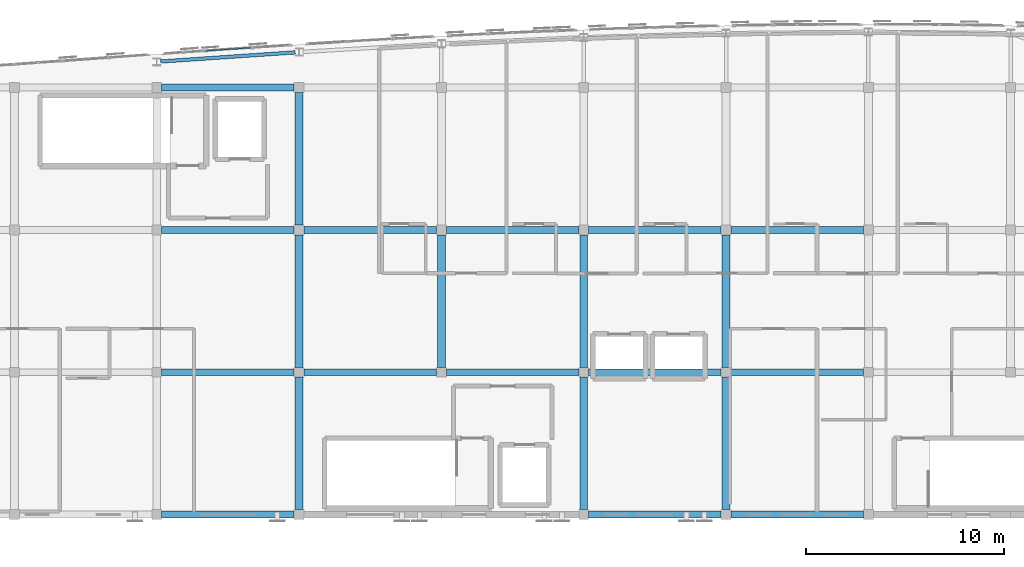
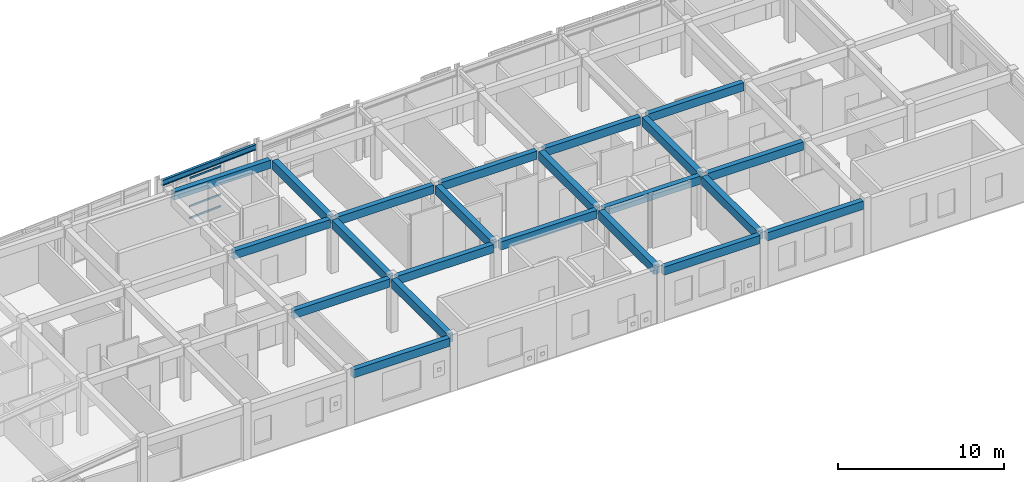
# One storey, part 6 of 24: 23 beams, 4 members, 1 element without a shape of its own.
"""IFC4 building model written with IfcOpenShell, lengths in metres."""

import ifcopenshell
import ifcopenshell.guid

model = None  # the IFC model being written
_history = None  # IfcOwnerHistory: only IFC2X3 demands one
_inside = {}  # id of a spatial element -> (the spatial element, [elements in it])
_under = {}  # id of a project, library or spatial element -> (it, [spatial elements below it])
_declared = {}  # id of a project -> (the project, [libraries it declares])
_typed = {}  # id of a type object -> (the type object, [elements of that type])
_made_of = {}  # id of a material, layer set ... -> (it, [elements and type objects made of it])


def new_model(schema):
    """Start an empty IFC model of exactly this schema.

    Asked for "IFC4X3", IfcOpenShell would pick the latest addendum, in which some entities
    have other attributes; the version numbers below select the first issue.
    IFC2X3 requires an IfcOwnerHistory on every rooted entity: one is made here for all.
    """
    global model, _history
    if schema == "IFC4X3":
        model = ifcopenshell.file(schema_version=(4, 3, 0, 0))
    else:
        model = ifcopenshell.file(schema=schema)
    _inside.clear()
    _under.clear()
    _declared.clear()
    _typed.clear()
    _made_of.clear()
    _history = None
    if model.schema == "IFC2X3":
        org = make("IfcOrganization", Name="unknown")
        user = make(
            "IfcPersonAndOrganization",
            ThePerson=make("IfcPerson", FamilyName="unknown"),
            TheOrganization=org,
        )
        app = make(
            "IfcApplication",
            ApplicationDeveloper=org,
            Version="unknown",
            ApplicationFullName="unknown",
            ApplicationIdentifier="unknown",
        )
        _history = make(
            "IfcOwnerHistory",
            OwningUser=user,
            OwningApplication=app,
            ChangeAction="ADDED",
            CreationDate=0,
        )
    return model


def make(cls, **values):
    """One entity of the class cls with the attributes given. An attribute that is None is left unset."""
    return model.create_entity(
        cls, **{name: value for name, value in values.items() if value is not None}
    )


def rooted(cls, **values):
    """An entity with a GlobalId (a new one), such as an element, a storey or a relation."""
    return make(cls, GlobalId=ifcopenshell.guid.new(), OwnerHistory=_history, **values)


def si_unit(unit_type, name, prefix=None):
    """IfcSIUnit, for example si_unit("LENGTHUNIT", "METRE", prefix="MILLI")."""
    return make("IfcSIUnit", UnitType=unit_type, Prefix=prefix, Name=name)


def assignment(units):
    """IfcUnitAssignment: the units of a project."""
    return None if units is None else make("IfcUnitAssignment", Units=units)


def point(xyz):
    """IfcCartesianPoint."""
    return None if xyz is None else make("IfcCartesianPoint", Coordinates=xyz)


def direction(xyz):
    """IfcDirection."""
    return None if xyz is None else make("IfcDirection", DirectionRatios=xyz)


def frame(location, z_axis=None, x_axis=None):
    """IfcAxis2Placement3D, a coordinate frame: its origin and axes. An axis left out is left unset."""
    return make(
        "IfcAxis2Placement3D",
        Location=point(location),
        Axis=direction(z_axis),
        RefDirection=direction(x_axis),
    )


def frame_2d(location, x_axis=None):
    """IfcAxis2Placement2D, a coordinate frame in the plane: its origin and x axis."""
    return make(
        "IfcAxis2Placement2D", Location=point(location), RefDirection=direction(x_axis)
    )


def origin():
    """The frame at (0, 0, 0) with its axes left unset."""
    return frame((0.0, 0.0, 0.0))


def origin_2d():
    """The frame at (0, 0) in the plane with its x axis left unset."""
    return frame_2d((0.0, 0.0))


def place(relative_to, where):
    """IfcLocalPlacement: puts the frame where relative to a parent placement (None: the world)."""
    return make(
        "IfcLocalPlacement", PlacementRelTo=relative_to, RelativePlacement=where
    )


def context(
    kind, dimensions, precision=None, world=None, true_north=None, identifier=None
):
    """IfcGeometricRepresentationContext, for example the 3D "Model" context."""
    return make(
        "IfcGeometricRepresentationContext",
        ContextIdentifier=identifier,
        ContextType=kind,
        CoordinateSpaceDimension=dimensions,
        Precision=precision,
        WorldCoordinateSystem=world,
        TrueNorth=true_north,
    )


def subcontext(parent, identifier, kind, view, scale=None):
    """IfcGeometricRepresentationSubContext, for example "Body" below "Model"."""
    return make(
        "IfcGeometricRepresentationSubContext",
        ContextIdentifier=identifier,
        ContextType=kind,
        ParentContext=parent,
        TargetScale=scale,
        TargetView=view,
    )


def project(units=None, contexts=None):
    """IfcProject with its units and contexts."""
    return rooted(
        "IfcProject",
        Name="project",
        RepresentationContexts=contexts,
        UnitsInContext=assignment(units),
    )


def spatial(cls, under=None, at=None, **own):
    """A site, building, storey or space (cls), placed at a placement, below another one or the project."""
    s = rooted(cls, ObjectPlacement=at, **own)
    if under is not None:
        _under.setdefault(under.id(), (under, []))[1].append(s)
    return s


def profile(cls, at=None, kind="AREA", **sizes):
    """A parametric profile (cls). Its sizes go by their IFC names, for example OverallWidth=200.0."""
    return make(cls, ProfileType=kind, Position=at, **sizes)


def rectangle(**sizes):
    """IfcRectangleProfileDef."""
    return profile("IfcRectangleProfileDef", **sizes)


def hollow_rectangle(**sizes):
    """IfcRectangleHollowProfileDef."""
    return profile("IfcRectangleHollowProfileDef", **sizes)


def i_section(**sizes):
    """IfcIShapeProfileDef."""
    return profile("IfcIShapeProfileDef", **sizes)


def extrude(swept, where, along, depth):
    """IfcExtrudedAreaSolid: the profile swept, set in the frame where, extruded along a direction by depth."""
    return make(
        "IfcExtrudedAreaSolid",
        SweptArea=swept,
        Position=where,
        ExtrudedDirection=direction(along),
        Depth=depth,
    )


def shape(context_of_items, identifier, shape_type, items):
    """IfcShapeRepresentation: the items that make up one representation, for example the "Body"."""
    return make(
        "IfcShapeRepresentation",
        ContextOfItems=context_of_items,
        RepresentationIdentifier=identifier,
        RepresentationType=shape_type,
        Items=items,
    )


def material(Name=None, Category=None):
    """IfcMaterial."""
    return make("IfcMaterial", Name=Name, Category=Category)


def layer(
    of_material, thickness, ventilated=None, Name=None, Category=None, Priority=None
):
    """IfcMaterialLayer: one layer of a wall or slab, of a material (None: an air gap)."""
    return make(
        "IfcMaterialLayer",
        Material=of_material,
        LayerThickness=thickness,
        IsVentilated=ventilated,
        Name=Name,
        Category=Category,
        Priority=Priority,
    )


def layer_set(layers, Name=None):
    """IfcMaterialLayerSet."""
    return make("IfcMaterialLayerSet", MaterialLayers=layers, LayerSetName=Name)


def material_profile(
    of_material, cross_section, Name=None, Category=None, Priority=None
):
    """IfcMaterialProfile: a cross section and its material."""
    return make(
        "IfcMaterialProfile",
        Name=Name,
        Material=of_material,
        Profile=cross_section,
        Priority=Priority,
        Category=Category,
    )


def profile_set(profiles, Name=None, composite=None):
    """IfcMaterialProfileSet."""
    return make(
        "IfcMaterialProfileSet",
        Name=Name,
        MaterialProfiles=profiles,
        CompositeProfile=composite,
    )


def made_of(thing, what):
    """Note that an element or type object is made of a material, layer set ...; save() writes the relation."""
    if what is not None:
        _made_of.setdefault(what.id(), (what, []))[1].append(thing)
    return thing


def type_object(cls, material=None, **own):
    """A type object (cls), such as IfcWallType, which elements share."""
    return made_of(rooted(cls, **own), material)


def element(
    cls,
    number,
    at=None,
    inside=None,
    cuts=None,
    type_object=None,
    material=None,
    context=None,
    identifier="Body",
    shape_type=None,
    held_by="IfcProductDefinitionShape",
    body=None,
    shapes=None,
    **own,
):
    """One element of the class cls, such as IfcWall. Its Tag is "e" and its number.

    at: its placement. inside: the storey or other place that contains it. cuts: it is an
    opening in that element (IfcRelVoidsElement). A single representation is given by context,
    identifier, shape_type and body (its items); several are given by shapes. held_by: the class
    of the entity that holds the representations. save() writes the other relations.
    """
    e = rooted(cls, Tag="e%d" % number, ObjectPlacement=at, **own)
    if body is not None:
        shapes = [shape(context, identifier, shape_type, body)]
    if shapes is not None:
        e.Representation = make(held_by, Representations=shapes)
    if inside is not None:
        _inside.setdefault(inside.id(), (inside, []))[1].append(e)
    if cuts is not None:
        rooted(
            "IfcRelVoidsElement", RelatingBuildingElement=cuts, RelatedOpeningElement=e
        )
    if type_object is not None:
        _typed.setdefault(type_object.id(), (type_object, []))[1].append(e)
    return made_of(e, material)


def aggregate(whole, parts):
    """IfcRelAggregates: a whole, such as a stair, and the parts it consists of."""
    return rooted("IfcRelAggregates", RelatingObject=whole, RelatedObjects=parts)


def save(model, path):
    """Write the relations noted so far, then the file.

    IfcRelAggregates (storeys below a building ...), IfcRelContainedInSpatialStructure (elements
    in a storey), IfcRelDefinesByType, IfcRelAssociatesMaterial and IfcRelDeclares: one each for
    every whole, place, type object, material and project.
    """
    for whole, parts in _under.values():
        aggregate(whole, parts)
    for where, things in _inside.values():
        rooted(
            "IfcRelContainedInSpatialStructure",
            RelatedElements=things,
            RelatingStructure=where,
        )
    for kind, things in _typed.values():
        rooted("IfcRelDefinesByType", RelatedObjects=things, RelatingType=kind)
    for what, things in _made_of.values():
        rooted("IfcRelAssociatesMaterial", RelatedObjects=things, RelatingMaterial=what)
    for by, libraries in _declared.values():
        rooted("IfcRelDeclares", RelatingContext=by, RelatedDefinitions=libraries)
    model.write(path)


model = new_model("IFC4")

# Units and contexts
model_context = context("Model", 3, precision=1e-05, world=origin(), true_north=direction((0.0, 1.0)))
body_context = subcontext(model_context, "Body", "Model", "MODEL_VIEW")
ifc_project = project(units=[si_unit("LENGTHUNIT", "METRE"), si_unit("AREAUNIT", "SQUARE_METRE"), si_unit("VOLUMEUNIT", "CUBIC_METRE"), si_unit("PLANEANGLEUNIT", "RADIAN"), si_unit("MASSUNIT", "GRAM", prefix="KILO")], contexts=[model_context])

# Site, building, storey
site_placement = place(None, origin())
site = spatial("IfcSite", under=ifc_project, at=site_placement, CompositionType="ELEMENT")
building_placement = place(site_placement, origin())
building = spatial("IfcBuilding", under=site, at=building_placement, Name="Carrowvane Square Congress Hotel", CompositionType="ELEMENT")
storey_placement = place(building_placement, frame((0.0, 0.0, 44.39990234375)))
storey = spatial("IfcBuildingStorey", under=building, at=storey_placement, Name="L11", CompositionType="ELEMENT", Elevation=44.39990234375)

# Beams
ifc_material_1 = material(Name="Concrete C35/45", Category="concrete")
ifc_material_profile_1 = material_profile(ifc_material_1, rectangle(XDim=0.35009765625, YDim=0.60009765625, at=origin_2d()), Name="RC 350x600")
ifc_profile_set_1 = profile_set([ifc_material_profile_1], Name="Concrete C35/45")
beam_type_1 = type_object("IfcBeamType", Name="BM-RC-350x600", PredefinedType="BEAM", material=ifc_profile_set_1)
for number, where, z_axis, x_axis, name in (
    (1, (62.25, 91.800048828125, 3.650146484375), (1.0, 0.0, 0.0), (0.0, 1.0, 0.0), "RF girder N/8-9"),
    (2, (83.85009765625, 91.800048828125, 3.650146484375), (1.0, 0.0, 0.0), (0.0, 1.0, 0.0), "RF girder N/11-12"),
    (3, (91.050048828125, 91.800048828125, 3.650146484375), (1.0, 0.0, 0.0), (0.0, 1.0, 0.0), "RF girder N/12-13"),
    (4, (62.25, 99.0, 3.650146484375), (1.0, 0.0, 0.0), (0.0, 1.0, 0.0), "RF girder P/8-9"),
    (5, (69.449951171875, 99.0, 3.650146484375), (1.0, 0.0, 0.0), (0.0, 1.0, 0.0), "RF girder P/9-10"),
):
    element("IfcBeam", number, at=place(storey_placement, frame(where, z_axis=z_axis, x_axis=x_axis)), inside=storey, type_object=beam_type_1, Name=name, PredefinedType="BEAM", context=body_context, shape_type="SweptSolid", body=[
        extrude(rectangle(XDim=0.35009765625, YDim=0.60009765625, at=origin_2d()), origin(), (0.0, 0.0, 1.0), 6.699951171875),
    ])
beam_1_placement = place(storey_placement, frame((76.64990234375, 99.0, 3.650146484375), z_axis=(1.0, 0.0, 0.0), x_axis=(0.0, 1.0, 0.0)))
element("IfcBeam", 6, at=beam_1_placement, inside=storey, type_object=beam_type_1, Name="RF girder P/10-11", PredefinedType="BEAM", context=body_context, shape_type="SweptSolid", body=[
    extrude(rectangle(XDim=0.35009765625, YDim=0.60009765625, at=origin_2d()), origin(), (0.0, 0.0, 1.0), 6.7001953125),
])
for number, where, z_axis, x_axis, name in (
    (7, (83.85009765625, 99.0, 3.650146484375), (1.0, 0.0, 0.0), (0.0, 1.0, 0.0), "RF girder P/11-12"),
    (8, (91.050048828125, 99.0, 3.650146484375), (1.0, 0.0, 0.0), (0.0, 1.0, 0.0), "RF girder P/12-13"),
    (9, (62.25, 106.199951171875, 3.650146484375), (1.0, 0.0, 0.0), (0.0, 1.0, 0.0), "RF girder Q/8-9"),
    (10, (69.449951171875, 106.199951171875, 3.650146484375), (1.0, 0.0, 0.0), (0.0, 1.0, 0.0), "RF girder Q/9-10"),
):
    element("IfcBeam", number, at=place(storey_placement, frame(where, z_axis=z_axis, x_axis=x_axis)), inside=storey, type_object=beam_type_1, Name=name, PredefinedType="BEAM", context=body_context, shape_type="SweptSolid", body=[
        extrude(rectangle(XDim=0.35009765625, YDim=0.60009765625, at=origin_2d()), origin(), (0.0, 0.0, 1.0), 6.699951171875),
    ])
beam_2_placement = place(storey_placement, frame((76.64990234375, 106.199951171875, 3.650146484375), z_axis=(1.0, 0.0, 0.0), x_axis=(0.0, 1.0, 0.0)))
element("IfcBeam", 11, at=beam_2_placement, inside=storey, type_object=beam_type_1, Name="RF girder Q/10-11", PredefinedType="BEAM", context=body_context, shape_type="SweptSolid", body=[
    extrude(rectangle(XDim=0.35009765625, YDim=0.60009765625, at=origin_2d()), origin(), (0.0, 0.0, 1.0), 6.7001953125),
])
for number, where, z_axis, x_axis, name in (
    (12, (83.85009765625, 106.199951171875, 3.650146484375), (1.0, 0.0, 0.0), (0.0, 1.0, 0.0), "RF girder Q/11-12"),
    (13, (91.050048828125, 106.199951171875, 3.650146484375), (1.0, 0.0, 0.0), (0.0, 1.0, 0.0), "RF girder Q/12-13"),
    (14, (62.25, 113.39990234375, 3.650146484375), (1.0, 0.0, 0.0), (0.0, 1.0, 0.0), "RF girder R/8-9"),
):
    element("IfcBeam", number, at=place(storey_placement, frame(where, z_axis=z_axis, x_axis=x_axis)), inside=storey, type_object=beam_type_1, Name=name, PredefinedType="BEAM", context=body_context, shape_type="SweptSolid", body=[
        extrude(rectangle(XDim=0.35009765625, YDim=0.60009765625, at=origin_2d()), origin(), (0.0, 0.0, 1.0), 6.699951171875),
    ])
ifc_material_2 = material(Name="Concrete C35/45", Category="concrete")
ifc_material_profile_2 = material_profile(ifc_material_2, rectangle(XDim=0.39990234375, YDim=0.64990234375, at=origin_2d()), Name="RC 400x650")
ifc_profile_set_2 = profile_set([ifc_material_profile_2], Name="Concrete C35/45")
beam_type_2 = type_object("IfcBeamType", Name="BM-RC-400x650", PredefinedType="BEAM", material=ifc_profile_set_2)
for number, where, z_axis, x_axis, name in (
    (15, (69.199951171875, 92.050048828125, 3.625), (0.0, 1.0, 0.0), (-1.0, 0.0, 0.0), "RF girder 9/N-P"),
    (16, (69.199951171875, 99.25, 3.625), (0.0, 1.0, 0.0), (-1.0, 0.0, 0.0), "RF girder 9/P-Q"),
    (17, (69.199951171875, 106.449951171875, 3.625), (0.0, 1.0, 0.0), (-1.0, 0.0, 0.0), "RF girder 9/Q-R"),
    (18, (76.39990234375, 99.25, 3.625), (0.0, 1.0, 0.0), (-1.0, 0.0, 0.0), "RF girder 10/P-Q"),
    (19, (83.60009765625, 92.050048828125, 3.625), (0.0, 1.0, 0.0), (-1.0, 0.0, 0.0), "RF girder 11/N-P"),
    (20, (83.60009765625, 99.25, 3.625), (0.0, 1.0, 0.0), (-1.0, 0.0, 0.0), "RF girder 11/P-Q"),
    (21, (90.800048828125, 92.050048828125, 3.625), (0.0, 1.0, 0.0), (-1.0, 0.0, 0.0), "RF girder 12/N-P"),
    (22, (90.800048828125, 99.25, 3.625), (0.0, 1.0, 0.0), (-1.0, 0.0, 0.0), "RF girder 12/P-Q"),
):
    element("IfcBeam", number, at=place(storey_placement, frame(where, z_axis=z_axis, x_axis=x_axis)), inside=storey, type_object=beam_type_2, Name=name, PredefinedType="BEAM", context=body_context, shape_type="SweptSolid", body=[
        extrude(rectangle(XDim=0.39990234375, YDim=0.64990234375, at=origin_2d()), origin(), (0.0, 0.0, 1.0), 6.699951171875),
    ])
ifc_material_3 = material(Name="Steel S355", Category="steel")
ifc_material_profile_3 = material_profile(ifc_material_3, i_section(OverallWidth=0.1787109375, OverallDepth=0.409423828125, WebThickness=0.0087890625, FlangeThickness=0.014404296875, FilletRadius=0.01025390625, at=origin_2d()), Name="UKB 406x178x67")
ifc_profile_set_3 = profile_set([ifc_material_profile_3], Name="Steel S355")
beam_type_3 = type_object("IfcBeamType", Name="BM-ST-UKB406", PredefinedType="BEAM", material=ifc_profile_set_3)
beam_3_placement = place(storey_placement, frame((62.197021484375, 114.71923828125, 3.745361328125), z_axis=(0.99770720425, 0.067678169216, 0.0), x_axis=(-0.067678169216, 0.99770720425, 0.0)))
element("IfcBeam", 23, at=beam_3_placement, inside=storey, type_object=beam_type_3, Name="RF curved north spandrel", PredefinedType="BEAM", context=body_context, shape_type="SweptSolid", body=[
    extrude(i_section(OverallWidth=0.1787109375, OverallDepth=0.409423828125, WebThickness=0.0087890625, FlangeThickness=0.014404296875, FilletRadius=0.01025390625, at=origin_2d()), origin(), (0.0, 0.0, 1.0), 6.821533203125),
])

# Curtain wall, members
ifc_material_4 = material(Name="Anodised aluminium", Category="aluminium")
ifc_layer = layer(ifc_material_4, 0.162109375)
ifc_layer_set = layer_set([ifc_layer], Name="Anodised aluminium")
curtain_wall_type = type_object("IfcCurtainWallType", Name="CW-SYS-1", PredefinedType="NOTDEFINED", material=ifc_layer_set)
curtain_wall_placement = place(storey_placement, origin())
curtain_wall = element("IfcCurtainWall", 24, at=curtain_wall_placement, inside=storey, type_object=curtain_wall_type, Name="L11 unitised curtain wall 592", PredefinedType="NOTDEFINED")
ifc_material_5 = material(Name="Anodised aluminium", Category="aluminium")
ifc_material_profile_4 = material_profile(ifc_material_5, hollow_rectangle(XDim=0.06005859375, YDim=0.1298828125, WallThickness=0.00390625, at=origin_2d()), Name="CW-TR 60x130x4")
ifc_profile_set_4 = profile_set([ifc_material_profile_4], Name="Anodised aluminium")
member_type = type_object("IfcMemberType", Name="CW-TRN-1", PredefinedType="USERDEFINED", material=ifc_profile_set_4)
member_1_placement = place(storey_placement, frame((64.4599609375, 115.2578125, 0.030029296875), z_axis=(0.997696363245, 0.067837797479, 0.0), x_axis=(-0.067837797479, 0.997696363245, 0.0)))
member_1 = element("IfcMember", 25, at=member_1_placement, type_object=member_type, Name="CW-1 transom 1.1", ObjectType="TRANSOM", PredefinedType="USERDEFINED", context=body_context, shape_type="SweptSolid", body=[
    extrude(hollow_rectangle(XDim=0.06005859375, YDim=0.1298828125, WallThickness=0.00390625, at=origin_2d()), origin(), (0.0, 0.0, 1.0), 2.285400390625),
])
member_2_placement = place(storey_placement, frame((64.4599609375, 115.2578125, 0.900146484375), z_axis=(0.997696363245, 0.067837797479, 0.0), x_axis=(-0.067837797479, 0.997696363245, 0.0)))
member_2 = element("IfcMember", 26, at=member_2_placement, type_object=member_type, Name="CW-1 transom 1.2", ObjectType="TRANSOM", PredefinedType="USERDEFINED", context=body_context, shape_type="SweptSolid", body=[
    extrude(hollow_rectangle(XDim=0.06005859375, YDim=0.1298828125, WallThickness=0.00390625, at=origin_2d()), origin(), (0.0, 0.0, 1.0), 2.285400390625),
])
member_3_placement = place(storey_placement, frame((64.4599609375, 115.2578125, 2.9755859375), z_axis=(0.997696363245, 0.067837797479, 0.0), x_axis=(-0.067837797479, 0.997696363245, 0.0)))
member_3 = element("IfcMember", 27, at=member_3_placement, type_object=member_type, Name="CW-1 transom 1.3", ObjectType="TRANSOM", PredefinedType="USERDEFINED", context=body_context, shape_type="SweptSolid", body=[
    extrude(hollow_rectangle(XDim=0.06005859375, YDim=0.1298828125, WallThickness=0.00390625, at=origin_2d()), origin(), (0.0, 0.0, 1.0), 2.285400390625),
])
member_4_placement = place(storey_placement, frame((64.4599609375, 115.2578125, 3.49560546875), z_axis=(0.997696363245, 0.067837797479, 0.0), x_axis=(-0.067837797479, 0.997696363245, 0.0)))
member_4 = element("IfcMember", 28, at=member_4_placement, type_object=member_type, Name="CW-1 transom 1.4", ObjectType="TRANSOM", PredefinedType="USERDEFINED", context=body_context, shape_type="SweptSolid", body=[
    extrude(hollow_rectangle(XDim=0.06005859375, YDim=0.1298828125, WallThickness=0.00390625, at=origin_2d()), origin(), (0.0, 0.0, 1.0), 2.285400390625),
])
aggregate(curtain_wall, [member_1, member_2, member_3, member_4])

save(model, "model.ifc")
